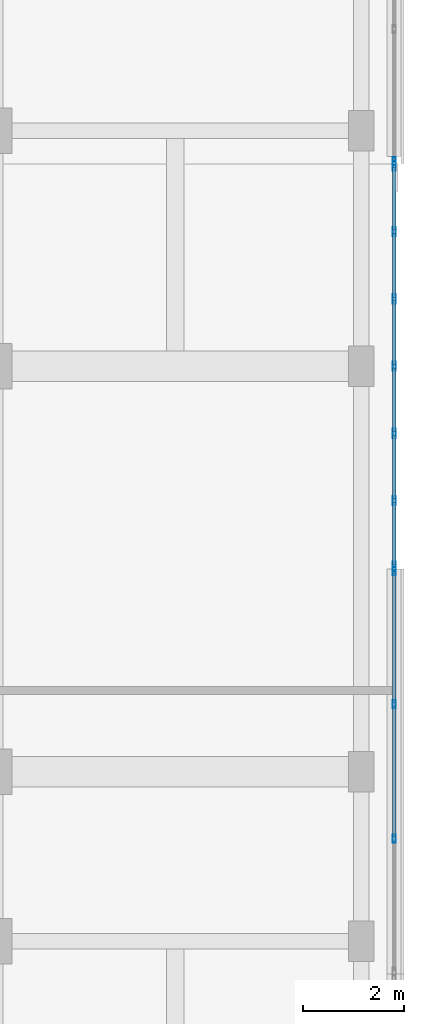
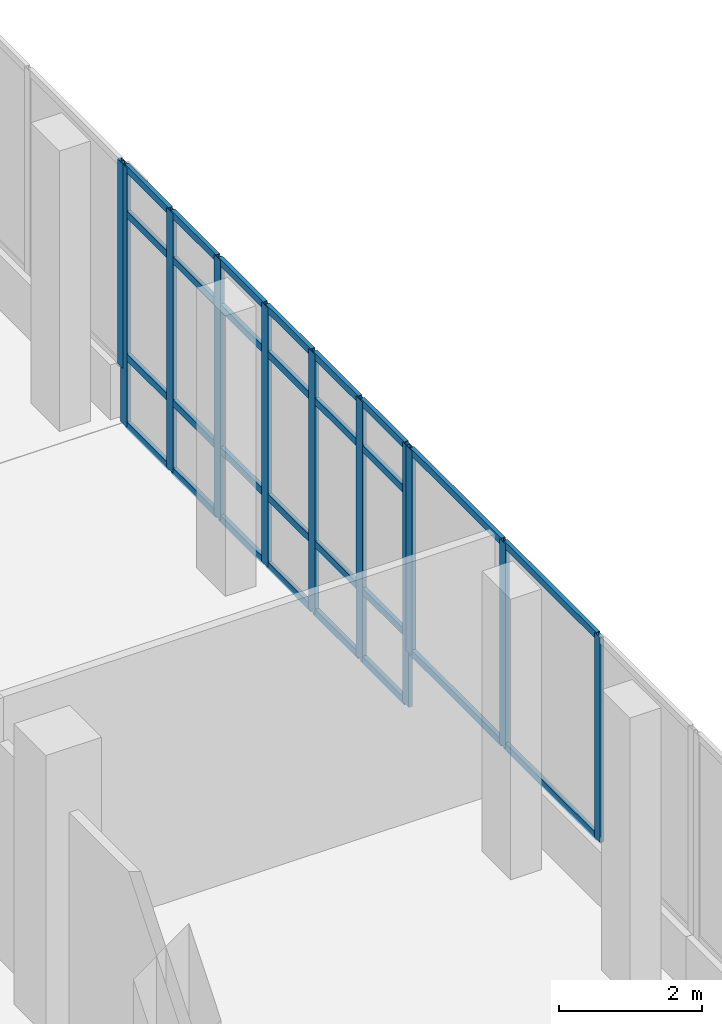
# One storey, part 111 of 168: 39 members, 3 elements without a shape of their own.
"""IFC4 building model written with IfcOpenShell, lengths in metres."""

from ifc_helpers import new_model, si_unit, direction, frame, origin, origin_2d, place, context, subcontext, project, spatial, hollow_rectangle, extrude, material, material_profile, profile_set, type_object, element, aggregate, save


model = new_model("IFC4")

# Units and contexts
model_context = context("Model", 3, precision=1e-05, world=origin(), true_north=direction((0.0, 1.0)))
body_context = subcontext(model_context, "Body", "Model", "MODEL_VIEW")
ifc_project = project(units=[si_unit("LENGTHUNIT", "METRE"), si_unit("AREAUNIT", "SQUARE_METRE"), si_unit("VOLUMEUNIT", "CUBIC_METRE"), si_unit("PLANEANGLEUNIT", "RADIAN"), si_unit("MASSUNIT", "GRAM", prefix="KILO")], contexts=[model_context])

# Site, building, storey
site_placement = place(None, origin())
site = spatial("IfcSite", under=ifc_project, at=site_placement, CompositionType="ELEMENT")
building_placement = place(site_placement, origin())
building = spatial("IfcBuilding", under=site, at=building_placement, Name="Selatvlak General Hospital", CompositionType="ELEMENT")
storey_placement = place(building_placement, frame((0.0, 0.0, 5.39990234375)))
storey = spatial("IfcBuildingStorey", under=building, at=storey_placement, Name="L01", CompositionType="ELEMENT", Elevation=5.39990234375)

# Curtain wall, member
ifc_material_1 = material(Name="Solar-control Low-E double glazing", Category="glass")
curtain_wall_type_1 = type_object("IfcCurtainWallType", Name="CW-CW-02", PredefinedType="USERDEFINED", material=ifc_material_1)
curtain_wall_1_placement = place(storey_placement, origin())
curtain_wall_1 = element("IfcCurtainWall", 1, at=curtain_wall_1_placement, inside=storey, type_object=curtain_wall_type_1, Name="Glazed facade curtain wall CW-L01-0135", ObjectType="UNITISED CURTAIN WALL", PredefinedType="USERDEFINED")
ifc_material_2 = material(Name="Dark anodised aluminium mullion", Category="aluminium")
ifc_material_profile_1 = material_profile(ifc_material_2, hollow_rectangle(XDim=0.06494140625, YDim=0.159912109375, WallThickness=0.00390625, at=origin_2d()), Name="AL-MUL 65x160x4")
ifc_profile_set_1 = profile_set([ifc_material_profile_1], Name="Dark anodised aluminium mullion")
member_type_1 = type_object("IfcMemberType", Name="CWM-01", PredefinedType="MULLION", material=ifc_profile_set_1)
member_1_placement = place(storey_placement, frame((182.0, 88.048583984375, 0.940185546875), z_axis=(0.0, 0.0, 1.0), x_axis=(1.0, 0.0, 0.0)))
member_1 = element("IfcMember", 2, at=member_1_placement, type_object=member_type_1, Name="CW-02 mullion 4", PredefinedType="MULLION", context=body_context, shape_type="SweptSolid", body=[
    extrude(hollow_rectangle(XDim=0.06494140625, YDim=0.159912109375, WallThickness=0.00390625, at=origin_2d()), origin(), (0.0, 0.0, 1.0), 3.5048828125),
])
aggregate(curtain_wall_1, [member_1])

# Curtain wall, members
curtain_wall_2_placement = place(storey_placement, origin())
curtain_wall_2 = element("IfcCurtainWall", 3, at=curtain_wall_2_placement, inside=storey, type_object=curtain_wall_type_1, Name="Glazed facade curtain wall CW-L01-0137", ObjectType="UNITISED CURTAIN WALL", PredefinedType="USERDEFINED")
member_2_placement = place(storey_placement, frame((182.0, 79.95361328125, 0.940185546875), z_axis=(0.0, 0.0, 1.0), x_axis=(1.0, 0.0, 0.0)))
member_2 = element("IfcMember", 4, at=member_2_placement, type_object=member_type_1, Name="CW-02 mullion 1", PredefinedType="MULLION", context=body_context, shape_type="SweptSolid", body=[
    extrude(hollow_rectangle(XDim=0.06494140625, YDim=0.159912109375, WallThickness=0.00390625, at=origin_2d()), origin(), (0.0, 0.0, 1.0), 3.5048828125),
])
member_3_placement = place(storey_placement, frame((182.0, 77.329345703125, 0.940185546875), z_axis=(0.0, 0.0, 1.0), x_axis=(1.0, 0.0, 0.0)))
member_3 = element("IfcMember", 5, at=member_3_placement, type_object=member_type_1, Name="CW-02 mullion 2", PredefinedType="MULLION", context=body_context, shape_type="SweptSolid", body=[
    extrude(hollow_rectangle(XDim=0.06494140625, YDim=0.159912109375, WallThickness=0.00390625, at=origin_2d()), origin(), (0.0, 0.0, 1.0), 3.5048828125),
])
member_4_placement = place(storey_placement, frame((182.0, 74.672607421875, 0.940185546875), z_axis=(0.0, 0.0, 1.0), x_axis=(1.0, 0.0, 0.0)))
member_4 = element("IfcMember", 6, at=member_4_placement, type_object=member_type_1, Name="CW-02 mullion 3", PredefinedType="MULLION", context=body_context, shape_type="SweptSolid", body=[
    extrude(hollow_rectangle(XDim=0.06494140625, YDim=0.159912109375, WallThickness=0.00390625, at=origin_2d()), origin(), (0.0, 0.0, 1.0), 3.5048828125),
])

curtain_wall_type_2 = type_object("IfcCurtainWallType", Name="CW-CW-04", PredefinedType="USERDEFINED", material=ifc_material_1)
curtain_wall_3_placement = place(storey_placement, origin())
curtain_wall_3 = element("IfcCurtainWall", 7, at=curtain_wall_3_placement, inside=storey, type_object=curtain_wall_type_2, Name="Glazed facade curtain wall CW-L01-0136", ObjectType="STICK GLAZING WALL", PredefinedType="USERDEFINED")
ifc_material_profile_2 = material_profile(ifc_material_2, hollow_rectangle(XDim=0.06494140625, YDim=0.179931640625, WallThickness=0.00439453125, at=origin_2d()), Name="AL-MUL 65x180x4.5")
ifc_profile_set_2 = profile_set([ifc_material_profile_2], Name="Dark anodised aluminium mullion")
member_type_2 = type_object("IfcMemberType", Name="CWM-02", PredefinedType="MULLION", material=ifc_profile_set_2)
member_5_placement = place(storey_placement, frame((182.0, 87.95361328125, 0.0), z_axis=(0.0, 0.0, 1.0), x_axis=(1.0, 0.0, 0.0)))
member_5 = element("IfcMember", 8, at=member_5_placement, type_object=member_type_2, Name="CW-04 mullion 1", PredefinedType="MULLION", context=body_context, shape_type="SweptSolid", body=[
    extrude(hollow_rectangle(XDim=0.06494140625, YDim=0.179931640625, WallThickness=0.00439453125, at=origin_2d()), origin(), (0.0, 0.0, 1.0), 4.445068359375),
])
member_6_placement = place(storey_placement, frame((182.0, 86.65771484375, 0.0), z_axis=(0.0, 0.0, 1.0), x_axis=(1.0, 0.0, 0.0)))
member_6 = element("IfcMember", 9, at=member_6_placement, type_object=member_type_2, Name="CW-04 mullion 2", PredefinedType="MULLION", context=body_context, shape_type="SweptSolid", body=[
    extrude(hollow_rectangle(XDim=0.06494140625, YDim=0.179931640625, WallThickness=0.00439453125, at=origin_2d()), origin(), (0.0, 0.0, 1.0), 4.445068359375),
])
member_7_placement = place(storey_placement, frame((182.0, 85.329345703125, 0.0), z_axis=(0.0, 0.0, 1.0), x_axis=(1.0, 0.0, 0.0)))
member_7 = element("IfcMember", 10, at=member_7_placement, type_object=member_type_2, Name="CW-04 mullion 3", PredefinedType="MULLION", context=body_context, shape_type="SweptSolid", body=[
    extrude(hollow_rectangle(XDim=0.06494140625, YDim=0.179931640625, WallThickness=0.00439453125, at=origin_2d()), origin(), (0.0, 0.0, 1.0), 4.445068359375),
])
member_8_placement = place(storey_placement, frame((182.0, 84.0009765625, 0.0), z_axis=(0.0, 0.0, 1.0), x_axis=(1.0, 0.0, 0.0)))
member_8 = element("IfcMember", 11, at=member_8_placement, type_object=member_type_2, Name="CW-04 mullion 4", PredefinedType="MULLION", context=body_context, shape_type="SweptSolid", body=[
    extrude(hollow_rectangle(XDim=0.06494140625, YDim=0.179931640625, WallThickness=0.00439453125, at=origin_2d()), origin(), (0.0, 0.0, 1.0), 4.445068359375),
])
member_9_placement = place(storey_placement, frame((182.0, 82.672607421875, 0.0), z_axis=(0.0, 0.0, 1.0), x_axis=(1.0, 0.0, 0.0)))
member_9 = element("IfcMember", 12, at=member_9_placement, type_object=member_type_2, Name="CW-04 mullion 5", PredefinedType="MULLION", context=body_context, shape_type="SweptSolid", body=[
    extrude(hollow_rectangle(XDim=0.06494140625, YDim=0.179931640625, WallThickness=0.00439453125, at=origin_2d()), origin(), (0.0, 0.0, 1.0), 4.445068359375),
])
member_10_placement = place(storey_placement, frame((182.0, 81.34423828125, 0.0), z_axis=(0.0, 0.0, 1.0), x_axis=(1.0, 0.0, 0.0)))
member_10 = element("IfcMember", 13, at=member_10_placement, type_object=member_type_2, Name="CW-04 mullion 6", PredefinedType="MULLION", context=body_context, shape_type="SweptSolid", body=[
    extrude(hollow_rectangle(XDim=0.06494140625, YDim=0.179931640625, WallThickness=0.00439453125, at=origin_2d()), origin(), (0.0, 0.0, 1.0), 4.445068359375),
])
member_11_placement = place(storey_placement, frame((182.0, 80.048583984375, 0.0), z_axis=(0.0, 0.0, 1.0), x_axis=(1.0, 0.0, 0.0)))
member_11 = element("IfcMember", 14, at=member_11_placement, type_object=member_type_2, Name="CW-04 mullion 7", PredefinedType="MULLION", context=body_context, shape_type="SweptSolid", body=[
    extrude(hollow_rectangle(XDim=0.06494140625, YDim=0.179931640625, WallThickness=0.00439453125, at=origin_2d()), origin(), (0.0, 0.0, 1.0), 4.445068359375),
])
ifc_material_profile_3 = material_profile(ifc_material_2, hollow_rectangle(XDim=0.06494140625, YDim=0.1201171875, WallThickness=0.00390625, at=origin_2d()), Name="AL-TRN 65x120x4")
ifc_profile_set_3 = profile_set([ifc_material_profile_3], Name="Dark anodised aluminium mullion")
member_type_3 = type_object("IfcMemberType", Name="CWT-01", PredefinedType="USERDEFINED", material=ifc_profile_set_3)
member_12_placement = place(storey_placement, frame((182.0, 87.9208984375, 0.03271484375), z_axis=(0.0, -1.0, 0.0), x_axis=(1.0, 0.0, 0.0)))
member_12 = element("IfcMember", 15, at=member_12_placement, type_object=member_type_3, Name="CW-04 transom 1.1", ObjectType="TRANSOM", PredefinedType="USERDEFINED", context=body_context, shape_type="SweptSolid", body=[
    extrude(hollow_rectangle(XDim=0.06494140625, YDim=0.1201171875, WallThickness=0.00390625, at=origin_2d()), origin(), (0.0, 0.0, 1.0), 1.230712890625),
])
member_13_placement = place(storey_placement, frame((182.0, 87.9208984375, 1.2001953125), z_axis=(0.0, -1.0, 0.0), x_axis=(1.0, 0.0, 0.0)))
member_13 = element("IfcMember", 16, at=member_13_placement, type_object=member_type_3, Name="CW-04 transom 1.2", ObjectType="TRANSOM", PredefinedType="USERDEFINED", context=body_context, shape_type="SweptSolid", body=[
    extrude(hollow_rectangle(XDim=0.06494140625, YDim=0.1201171875, WallThickness=0.00390625, at=origin_2d()), origin(), (0.0, 0.0, 1.0), 1.230712890625),
])
member_14_placement = place(storey_placement, frame((182.0, 87.9208984375, 3.64501953125), z_axis=(0.0, -1.0, 0.0), x_axis=(1.0, 0.0, 0.0)))
member_14 = element("IfcMember", 17, at=member_14_placement, type_object=member_type_3, Name="CW-04 transom 1.3", ObjectType="TRANSOM", PredefinedType="USERDEFINED", context=body_context, shape_type="SweptSolid", body=[
    extrude(hollow_rectangle(XDim=0.06494140625, YDim=0.1201171875, WallThickness=0.00390625, at=origin_2d()), origin(), (0.0, 0.0, 1.0), 1.230712890625),
])
member_15_placement = place(storey_placement, frame((182.0, 87.9208984375, 4.41259765625), z_axis=(0.0, -1.0, 0.0), x_axis=(1.0, 0.0, 0.0)))
member_15 = element("IfcMember", 18, at=member_15_placement, type_object=member_type_3, Name="CW-04 transom 1.4", ObjectType="TRANSOM", PredefinedType="USERDEFINED", context=body_context, shape_type="SweptSolid", body=[
    extrude(hollow_rectangle(XDim=0.06494140625, YDim=0.1201171875, WallThickness=0.00390625, at=origin_2d()), origin(), (0.0, 0.0, 1.0), 1.230712890625),
])
member_16_placement = place(storey_placement, frame((182.0, 86.625244140625, 0.03271484375), z_axis=(0.0, -1.0, 0.0), x_axis=(1.0, 0.0, 0.0)))
member_16 = element("IfcMember", 19, at=member_16_placement, type_object=member_type_3, Name="CW-04 transom 2.1", ObjectType="TRANSOM", PredefinedType="USERDEFINED", context=body_context, shape_type="SweptSolid", body=[
    extrude(hollow_rectangle(XDim=0.06494140625, YDim=0.1201171875, WallThickness=0.00390625, at=origin_2d()), origin(), (0.0, 0.0, 1.0), 1.263427734375),
])
member_17_placement = place(storey_placement, frame((182.0, 86.625244140625, 1.2001953125), z_axis=(0.0, -1.0, 0.0), x_axis=(1.0, 0.0, 0.0)))
member_17 = element("IfcMember", 20, at=member_17_placement, type_object=member_type_3, Name="CW-04 transom 2.2", ObjectType="TRANSOM", PredefinedType="USERDEFINED", context=body_context, shape_type="SweptSolid", body=[
    extrude(hollow_rectangle(XDim=0.06494140625, YDim=0.1201171875, WallThickness=0.00390625, at=origin_2d()), origin(), (0.0, 0.0, 1.0), 1.263427734375),
])
member_18_placement = place(storey_placement, frame((182.0, 86.625244140625, 3.64501953125), z_axis=(0.0, -1.0, 0.0), x_axis=(1.0, 0.0, 0.0)))
member_18 = element("IfcMember", 21, at=member_18_placement, type_object=member_type_3, Name="CW-04 transom 2.3", ObjectType="TRANSOM", PredefinedType="USERDEFINED", context=body_context, shape_type="SweptSolid", body=[
    extrude(hollow_rectangle(XDim=0.06494140625, YDim=0.1201171875, WallThickness=0.00390625, at=origin_2d()), origin(), (0.0, 0.0, 1.0), 1.263427734375),
])
member_19_placement = place(storey_placement, frame((182.0, 86.625244140625, 4.41259765625), z_axis=(0.0, -1.0, 0.0), x_axis=(1.0, 0.0, 0.0)))
member_19 = element("IfcMember", 22, at=member_19_placement, type_object=member_type_3, Name="CW-04 transom 2.4", ObjectType="TRANSOM", PredefinedType="USERDEFINED", context=body_context, shape_type="SweptSolid", body=[
    extrude(hollow_rectangle(XDim=0.06494140625, YDim=0.1201171875, WallThickness=0.00390625, at=origin_2d()), origin(), (0.0, 0.0, 1.0), 1.263427734375),
])
member_20_placement = place(storey_placement, frame((182.0, 85.296875, 0.03271484375), z_axis=(0.0, -1.0, 0.0), x_axis=(1.0, 0.0, 0.0)))
member_20 = element("IfcMember", 23, at=member_20_placement, type_object=member_type_3, Name="CW-04 transom 3.1", ObjectType="TRANSOM", PredefinedType="USERDEFINED", context=body_context, shape_type="SweptSolid", body=[
    extrude(hollow_rectangle(XDim=0.06494140625, YDim=0.1201171875, WallThickness=0.00390625, at=origin_2d()), origin(), (0.0, 0.0, 1.0), 1.263427734375),
])
member_21_placement = place(storey_placement, frame((182.0, 85.296875, 1.2001953125), z_axis=(0.0, -1.0, 0.0), x_axis=(1.0, 0.0, 0.0)))
member_21 = element("IfcMember", 24, at=member_21_placement, type_object=member_type_3, Name="CW-04 transom 3.2", ObjectType="TRANSOM", PredefinedType="USERDEFINED", context=body_context, shape_type="SweptSolid", body=[
    extrude(hollow_rectangle(XDim=0.06494140625, YDim=0.1201171875, WallThickness=0.00390625, at=origin_2d()), origin(), (0.0, 0.0, 1.0), 1.263427734375),
])
member_22_placement = place(storey_placement, frame((182.0, 85.296875, 3.64501953125), z_axis=(0.0, -1.0, 0.0), x_axis=(1.0, 0.0, 0.0)))
member_22 = element("IfcMember", 25, at=member_22_placement, type_object=member_type_3, Name="CW-04 transom 3.3", ObjectType="TRANSOM", PredefinedType="USERDEFINED", context=body_context, shape_type="SweptSolid", body=[
    extrude(hollow_rectangle(XDim=0.06494140625, YDim=0.1201171875, WallThickness=0.00390625, at=origin_2d()), origin(), (0.0, 0.0, 1.0), 1.263427734375),
])
member_23_placement = place(storey_placement, frame((182.0, 85.296875, 4.41259765625), z_axis=(0.0, -1.0, 0.0), x_axis=(1.0, 0.0, 0.0)))
member_23 = element("IfcMember", 26, at=member_23_placement, type_object=member_type_3, Name="CW-04 transom 3.4", ObjectType="TRANSOM", PredefinedType="USERDEFINED", context=body_context, shape_type="SweptSolid", body=[
    extrude(hollow_rectangle(XDim=0.06494140625, YDim=0.1201171875, WallThickness=0.00390625, at=origin_2d()), origin(), (0.0, 0.0, 1.0), 1.263427734375),
])
member_24_placement = place(storey_placement, frame((182.0, 83.968505859375, 0.03271484375), z_axis=(0.0, -1.0, 0.0), x_axis=(1.0, 0.0, 0.0)))
member_24 = element("IfcMember", 27, at=member_24_placement, type_object=member_type_3, Name="CW-04 transom 4.1", ObjectType="TRANSOM", PredefinedType="USERDEFINED", context=body_context, shape_type="SweptSolid", body=[
    extrude(hollow_rectangle(XDim=0.06494140625, YDim=0.1201171875, WallThickness=0.00390625, at=origin_2d()), origin(), (0.0, 0.0, 1.0), 1.263427734375),
])
member_25_placement = place(storey_placement, frame((182.0, 83.968505859375, 1.2001953125), z_axis=(0.0, -1.0, 0.0), x_axis=(1.0, 0.0, 0.0)))
member_25 = element("IfcMember", 28, at=member_25_placement, type_object=member_type_3, Name="CW-04 transom 4.2", ObjectType="TRANSOM", PredefinedType="USERDEFINED", context=body_context, shape_type="SweptSolid", body=[
    extrude(hollow_rectangle(XDim=0.06494140625, YDim=0.1201171875, WallThickness=0.00390625, at=origin_2d()), origin(), (0.0, 0.0, 1.0), 1.263427734375),
])
member_26_placement = place(storey_placement, frame((182.0, 83.968505859375, 3.64501953125), z_axis=(0.0, -1.0, 0.0), x_axis=(1.0, 0.0, 0.0)))
member_26 = element("IfcMember", 29, at=member_26_placement, type_object=member_type_3, Name="CW-04 transom 4.3", ObjectType="TRANSOM", PredefinedType="USERDEFINED", context=body_context, shape_type="SweptSolid", body=[
    extrude(hollow_rectangle(XDim=0.06494140625, YDim=0.1201171875, WallThickness=0.00390625, at=origin_2d()), origin(), (0.0, 0.0, 1.0), 1.263427734375),
])
member_27_placement = place(storey_placement, frame((182.0, 83.968505859375, 4.41259765625), z_axis=(0.0, -1.0, 0.0), x_axis=(1.0, 0.0, 0.0)))
member_27 = element("IfcMember", 30, at=member_27_placement, type_object=member_type_3, Name="CW-04 transom 4.4", ObjectType="TRANSOM", PredefinedType="USERDEFINED", context=body_context, shape_type="SweptSolid", body=[
    extrude(hollow_rectangle(XDim=0.06494140625, YDim=0.1201171875, WallThickness=0.00390625, at=origin_2d()), origin(), (0.0, 0.0, 1.0), 1.263427734375),
])
member_28_placement = place(storey_placement, frame((182.0, 82.64013671875, 0.03271484375), z_axis=(0.0, -1.0, 0.0), x_axis=(1.0, 0.0, 0.0)))
member_28 = element("IfcMember", 31, at=member_28_placement, type_object=member_type_3, Name="CW-04 transom 5.1", ObjectType="TRANSOM", PredefinedType="USERDEFINED", context=body_context, shape_type="SweptSolid", body=[
    extrude(hollow_rectangle(XDim=0.06494140625, YDim=0.1201171875, WallThickness=0.00390625, at=origin_2d()), origin(), (0.0, 0.0, 1.0), 1.26318359375),
])
member_29_placement = place(storey_placement, frame((182.0, 82.64013671875, 1.2001953125), z_axis=(0.0, -1.0, 0.0), x_axis=(1.0, 0.0, 0.0)))
member_29 = element("IfcMember", 32, at=member_29_placement, type_object=member_type_3, Name="CW-04 transom 5.2", ObjectType="TRANSOM", PredefinedType="USERDEFINED", context=body_context, shape_type="SweptSolid", body=[
    extrude(hollow_rectangle(XDim=0.06494140625, YDim=0.1201171875, WallThickness=0.00390625, at=origin_2d()), origin(), (0.0, 0.0, 1.0), 1.26318359375),
])
member_30_placement = place(storey_placement, frame((182.0, 82.64013671875, 3.64501953125), z_axis=(0.0, -1.0, 0.0), x_axis=(1.0, 0.0, 0.0)))
member_30 = element("IfcMember", 33, at=member_30_placement, type_object=member_type_3, Name="CW-04 transom 5.3", ObjectType="TRANSOM", PredefinedType="USERDEFINED", context=body_context, shape_type="SweptSolid", body=[
    extrude(hollow_rectangle(XDim=0.06494140625, YDim=0.1201171875, WallThickness=0.00390625, at=origin_2d()), origin(), (0.0, 0.0, 1.0), 1.26318359375),
])
member_31_placement = place(storey_placement, frame((182.0, 82.64013671875, 4.41259765625), z_axis=(0.0, -1.0, 0.0), x_axis=(1.0, 0.0, 0.0)))
member_31 = element("IfcMember", 34, at=member_31_placement, type_object=member_type_3, Name="CW-04 transom 5.4", ObjectType="TRANSOM", PredefinedType="USERDEFINED", context=body_context, shape_type="SweptSolid", body=[
    extrude(hollow_rectangle(XDim=0.06494140625, YDim=0.1201171875, WallThickness=0.00390625, at=origin_2d()), origin(), (0.0, 0.0, 1.0), 1.26318359375),
])
member_32_placement = place(storey_placement, frame((182.0, 81.311767578125, 0.03271484375), z_axis=(0.0, -1.0, 0.0), x_axis=(1.0, 0.0, 0.0)))
member_32 = element("IfcMember", 35, at=member_32_placement, type_object=member_type_3, Name="CW-04 transom 6.1", ObjectType="TRANSOM", PredefinedType="USERDEFINED", context=body_context, shape_type="SweptSolid", body=[
    extrude(hollow_rectangle(XDim=0.06494140625, YDim=0.1201171875, WallThickness=0.00390625, at=origin_2d()), origin(), (0.0, 0.0, 1.0), 1.230712890625),
])
member_33_placement = place(storey_placement, frame((182.0, 81.311767578125, 1.2001953125), z_axis=(0.0, -1.0, 0.0), x_axis=(1.0, 0.0, 0.0)))
member_33 = element("IfcMember", 36, at=member_33_placement, type_object=member_type_3, Name="CW-04 transom 6.2", ObjectType="TRANSOM", PredefinedType="USERDEFINED", context=body_context, shape_type="SweptSolid", body=[
    extrude(hollow_rectangle(XDim=0.06494140625, YDim=0.1201171875, WallThickness=0.00390625, at=origin_2d()), origin(), (0.0, 0.0, 1.0), 1.230712890625),
])
member_34_placement = place(storey_placement, frame((182.0, 81.311767578125, 3.64501953125), z_axis=(0.0, -1.0, 0.0), x_axis=(1.0, 0.0, 0.0)))
member_34 = element("IfcMember", 37, at=member_34_placement, type_object=member_type_3, Name="CW-04 transom 6.3", ObjectType="TRANSOM", PredefinedType="USERDEFINED", context=body_context, shape_type="SweptSolid", body=[
    extrude(hollow_rectangle(XDim=0.06494140625, YDim=0.1201171875, WallThickness=0.00390625, at=origin_2d()), origin(), (0.0, 0.0, 1.0), 1.230712890625),
])
member_35_placement = place(storey_placement, frame((182.0, 81.311767578125, 4.41259765625), z_axis=(0.0, -1.0, 0.0), x_axis=(1.0, 0.0, 0.0)))
member_35 = element("IfcMember", 38, at=member_35_placement, type_object=member_type_3, Name="CW-04 transom 6.4", ObjectType="TRANSOM", PredefinedType="USERDEFINED", context=body_context, shape_type="SweptSolid", body=[
    extrude(hollow_rectangle(XDim=0.06494140625, YDim=0.1201171875, WallThickness=0.00390625, at=origin_2d()), origin(), (0.0, 0.0, 1.0), 1.230712890625),
])
aggregate(curtain_wall_3, [member_5, member_6, member_7, member_8, member_9, member_10, member_11, member_12, member_13, member_14, member_15, member_16, member_17, member_18, member_19, member_20, member_21, member_22, member_23, member_24, member_25, member_26, member_27, member_28, member_29, member_30, member_31, member_32, member_33, member_34, member_35])

# Member
member_36_placement = place(storey_placement, frame((182.0, 79.9208984375, 0.97265625), z_axis=(0.0, -1.0, 0.0), x_axis=(1.0, 0.0, 0.0)))
member_36 = element("IfcMember", 39, at=member_36_placement, type_object=member_type_3, Name="CW-02 transom 1.1", ObjectType="TRANSOM", PredefinedType="USERDEFINED", context=body_context, shape_type="SweptSolid", body=[
    extrude(hollow_rectangle(XDim=0.06494140625, YDim=0.1201171875, WallThickness=0.00390625, at=origin_2d()), origin(), (0.0, 0.0, 1.0), 2.55908203125),
])

member_37_placement = place(storey_placement, frame((182.0, 79.9208984375, 4.41259765625), z_axis=(0.0, -1.0, 0.0), x_axis=(1.0, 0.0, 0.0)))
member_37 = element("IfcMember", 40, at=member_37_placement, type_object=member_type_3, Name="CW-02 transom 1.2", ObjectType="TRANSOM", PredefinedType="USERDEFINED", context=body_context, shape_type="SweptSolid", body=[
    extrude(hollow_rectangle(XDim=0.06494140625, YDim=0.1201171875, WallThickness=0.00390625, at=origin_2d()), origin(), (0.0, 0.0, 1.0), 2.55908203125),
])

member_38_placement = place(storey_placement, frame((182.0, 77.296875, 0.97265625), z_axis=(0.0, -1.0, 0.0), x_axis=(1.0, 0.0, 0.0)))
member_38 = element("IfcMember", 41, at=member_38_placement, type_object=member_type_3, Name="CW-02 transom 2.1", ObjectType="TRANSOM", PredefinedType="USERDEFINED", context=body_context, shape_type="SweptSolid", body=[
    extrude(hollow_rectangle(XDim=0.06494140625, YDim=0.1201171875, WallThickness=0.00390625, at=origin_2d()), origin(), (0.0, 0.0, 1.0), 2.591796875),
])

member_39_placement = place(storey_placement, frame((182.0, 77.296875, 4.41259765625), z_axis=(0.0, -1.0, 0.0), x_axis=(1.0, 0.0, 0.0)))
member_39 = element("IfcMember", 42, at=member_39_placement, type_object=member_type_3, Name="CW-02 transom 2.2", ObjectType="TRANSOM", PredefinedType="USERDEFINED", context=body_context, shape_type="SweptSolid", body=[
    extrude(hollow_rectangle(XDim=0.06494140625, YDim=0.1201171875, WallThickness=0.00390625, at=origin_2d()), origin(), (0.0, 0.0, 1.0), 2.591796875),
])

aggregate(curtain_wall_2, [member_2, member_3, member_4, member_36, member_37, member_38, member_39])

save(model, "model.ifc")
